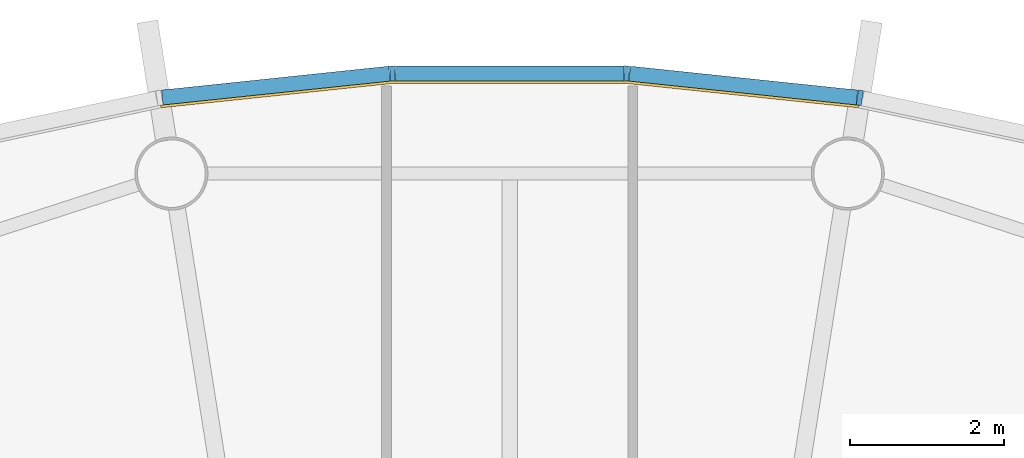
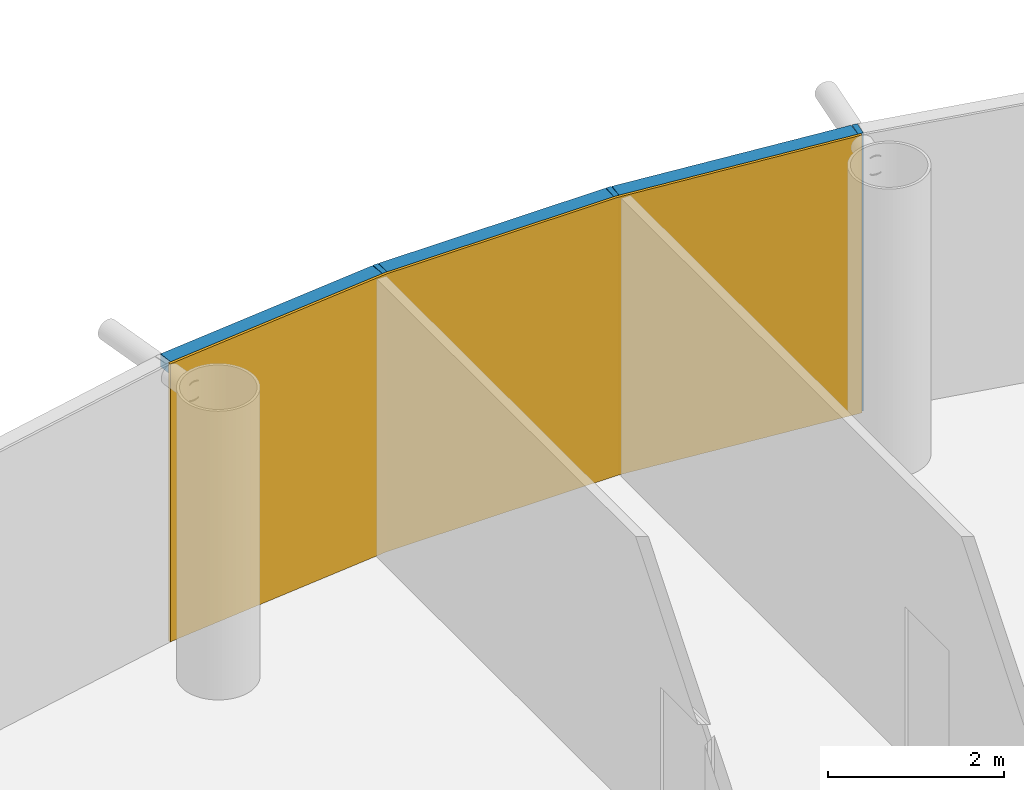
# One storey, part 11 of 13: 6 members, 1 curtain wall.
"""IFC4 building model written with IfcOpenShell, lengths in metres."""

import ifcopenshell
import ifcopenshell.guid

model = None  # the IFC model being written
_history = None  # IfcOwnerHistory: only IFC2X3 demands one
_inside = {}  # id of a spatial element -> (the spatial element, [elements in it])
_under = {}  # id of a project, library or spatial element -> (it, [spatial elements below it])
_declared = {}  # id of a project -> (the project, [libraries it declares])
_typed = {}  # id of a type object -> (the type object, [elements of that type])
_made_of = {}  # id of a material, layer set ... -> (it, [elements and type objects made of it])


def new_model(schema):
    """Start an empty IFC model of exactly this schema.

    Asked for "IFC4X3", IfcOpenShell would pick the latest addendum, in which some entities
    have other attributes; the version numbers below select the first issue.
    IFC2X3 requires an IfcOwnerHistory on every rooted entity: one is made here for all.
    """
    global model, _history
    if schema == "IFC4X3":
        model = ifcopenshell.file(schema_version=(4, 3, 0, 0))
    else:
        model = ifcopenshell.file(schema=schema)
    _inside.clear()
    _under.clear()
    _declared.clear()
    _typed.clear()
    _made_of.clear()
    _history = None
    if model.schema == "IFC2X3":
        org = make("IfcOrganization", Name="unknown")
        user = make(
            "IfcPersonAndOrganization",
            ThePerson=make("IfcPerson", FamilyName="unknown"),
            TheOrganization=org,
        )
        app = make(
            "IfcApplication",
            ApplicationDeveloper=org,
            Version="unknown",
            ApplicationFullName="unknown",
            ApplicationIdentifier="unknown",
        )
        _history = make(
            "IfcOwnerHistory",
            OwningUser=user,
            OwningApplication=app,
            ChangeAction="ADDED",
            CreationDate=0,
        )
    return model


def make(cls, **values):
    """One entity of the class cls with the attributes given. An attribute that is None is left unset."""
    return model.create_entity(
        cls, **{name: value for name, value in values.items() if value is not None}
    )


def rooted(cls, **values):
    """An entity with a GlobalId (a new one), such as an element, a storey or a relation."""
    return make(cls, GlobalId=ifcopenshell.guid.new(), OwnerHistory=_history, **values)


def si_unit(unit_type, name, prefix=None):
    """IfcSIUnit, for example si_unit("LENGTHUNIT", "METRE", prefix="MILLI")."""
    return make("IfcSIUnit", UnitType=unit_type, Prefix=prefix, Name=name)


def assignment(units):
    """IfcUnitAssignment: the units of a project."""
    return None if units is None else make("IfcUnitAssignment", Units=units)


def point(xyz):
    """IfcCartesianPoint."""
    return None if xyz is None else make("IfcCartesianPoint", Coordinates=xyz)


def direction(xyz):
    """IfcDirection."""
    return None if xyz is None else make("IfcDirection", DirectionRatios=xyz)


def frame(location, z_axis=None, x_axis=None):
    """IfcAxis2Placement3D, a coordinate frame: its origin and axes. An axis left out is left unset."""
    return make(
        "IfcAxis2Placement3D",
        Location=point(location),
        Axis=direction(z_axis),
        RefDirection=direction(x_axis),
    )


def frame_2d(location, x_axis=None):
    """IfcAxis2Placement2D, a coordinate frame in the plane: its origin and x axis."""
    return make(
        "IfcAxis2Placement2D", Location=point(location), RefDirection=direction(x_axis)
    )


def origin():
    """The frame at (0, 0, 0) with its axes left unset."""
    return frame((0.0, 0.0, 0.0))


def origin_2d():
    """The frame at (0, 0) in the plane with its x axis left unset."""
    return frame_2d((0.0, 0.0))


def place(relative_to, where):
    """IfcLocalPlacement: puts the frame where relative to a parent placement (None: the world)."""
    return make(
        "IfcLocalPlacement", PlacementRelTo=relative_to, RelativePlacement=where
    )


def context(
    kind, dimensions, precision=None, world=None, true_north=None, identifier=None
):
    """IfcGeometricRepresentationContext, for example the 3D "Model" context."""
    return make(
        "IfcGeometricRepresentationContext",
        ContextIdentifier=identifier,
        ContextType=kind,
        CoordinateSpaceDimension=dimensions,
        Precision=precision,
        WorldCoordinateSystem=world,
        TrueNorth=true_north,
    )


def subcontext(parent, identifier, kind, view, scale=None):
    """IfcGeometricRepresentationSubContext, for example "Body" below "Model"."""
    return make(
        "IfcGeometricRepresentationSubContext",
        ContextIdentifier=identifier,
        ContextType=kind,
        ParentContext=parent,
        TargetScale=scale,
        TargetView=view,
    )


def project(units=None, contexts=None):
    """IfcProject with its units and contexts."""
    return rooted(
        "IfcProject",
        Name="project",
        RepresentationContexts=contexts,
        UnitsInContext=assignment(units),
    )


def spatial(cls, under=None, at=None, **own):
    """A site, building, storey or space (cls), placed at a placement, below another one or the project."""
    s = rooted(cls, ObjectPlacement=at, **own)
    if under is not None:
        _under.setdefault(under.id(), (under, []))[1].append(s)
    return s


def polyline(points):
    """IfcPolyline through the points."""
    return make("IfcPolyline", Points=[point(p) for p in points])


def profile(cls, at=None, kind="AREA", **sizes):
    """A parametric profile (cls). Its sizes go by their IFC names, for example OverallWidth=200.0."""
    return make(cls, ProfileType=kind, Position=at, **sizes)


def rectangle(**sizes):
    """IfcRectangleProfileDef."""
    return profile("IfcRectangleProfileDef", **sizes)


def outline(outer, holes=None, kind="AREA"):
    """IfcArbitraryClosedProfileDef: a profile drawn as a closed curve; with holes, ...WithVoids."""
    if holes is None:
        return make("IfcArbitraryClosedProfileDef", ProfileType=kind, OuterCurve=outer)
    return make(
        "IfcArbitraryProfileDefWithVoids",
        ProfileType=kind,
        OuterCurve=outer,
        InnerCurves=holes,
    )


def extrude(swept, where, along, depth):
    """IfcExtrudedAreaSolid: the profile swept, set in the frame where, extruded along a direction by depth."""
    return make(
        "IfcExtrudedAreaSolid",
        SweptArea=swept,
        Position=where,
        ExtrudedDirection=direction(along),
        Depth=depth,
    )


def shape(context_of_items, identifier, shape_type, items):
    """IfcShapeRepresentation: the items that make up one representation, for example the "Body"."""
    return make(
        "IfcShapeRepresentation",
        ContextOfItems=context_of_items,
        RepresentationIdentifier=identifier,
        RepresentationType=shape_type,
        Items=items,
    )


def material(Name=None, Category=None):
    """IfcMaterial."""
    return make("IfcMaterial", Name=Name, Category=Category)


def layer(
    of_material, thickness, ventilated=None, Name=None, Category=None, Priority=None
):
    """IfcMaterialLayer: one layer of a wall or slab, of a material (None: an air gap)."""
    return make(
        "IfcMaterialLayer",
        Material=of_material,
        LayerThickness=thickness,
        IsVentilated=ventilated,
        Name=Name,
        Category=Category,
        Priority=Priority,
    )


def layer_set(layers, Name=None):
    """IfcMaterialLayerSet."""
    return make("IfcMaterialLayerSet", MaterialLayers=layers, LayerSetName=Name)


def material_profile(
    of_material, cross_section, Name=None, Category=None, Priority=None
):
    """IfcMaterialProfile: a cross section and its material."""
    return make(
        "IfcMaterialProfile",
        Name=Name,
        Material=of_material,
        Profile=cross_section,
        Priority=Priority,
        Category=Category,
    )


def profile_set(profiles, Name=None, composite=None):
    """IfcMaterialProfileSet."""
    return make(
        "IfcMaterialProfileSet",
        Name=Name,
        MaterialProfiles=profiles,
        CompositeProfile=composite,
    )


def made_of(thing, what):
    """Note that an element or type object is made of a material, layer set ...; save() writes the relation."""
    if what is not None:
        _made_of.setdefault(what.id(), (what, []))[1].append(thing)
    return thing


def type_object(cls, material=None, **own):
    """A type object (cls), such as IfcWallType, which elements share."""
    return made_of(rooted(cls, **own), material)


def element(
    cls,
    number,
    at=None,
    inside=None,
    cuts=None,
    type_object=None,
    material=None,
    context=None,
    identifier="Body",
    shape_type=None,
    held_by="IfcProductDefinitionShape",
    body=None,
    shapes=None,
    **own,
):
    """One element of the class cls, such as IfcWall. Its Tag is "e" and its number.

    at: its placement. inside: the storey or other place that contains it. cuts: it is an
    opening in that element (IfcRelVoidsElement). A single representation is given by context,
    identifier, shape_type and body (its items); several are given by shapes. held_by: the class
    of the entity that holds the representations. save() writes the other relations.
    """
    e = rooted(cls, Tag="e%d" % number, ObjectPlacement=at, **own)
    if body is not None:
        shapes = [shape(context, identifier, shape_type, body)]
    if shapes is not None:
        e.Representation = make(held_by, Representations=shapes)
    if inside is not None:
        _inside.setdefault(inside.id(), (inside, []))[1].append(e)
    if cuts is not None:
        rooted(
            "IfcRelVoidsElement", RelatingBuildingElement=cuts, RelatedOpeningElement=e
        )
    if type_object is not None:
        _typed.setdefault(type_object.id(), (type_object, []))[1].append(e)
    return made_of(e, material)


def aggregate(whole, parts):
    """IfcRelAggregates: a whole, such as a stair, and the parts it consists of."""
    return rooted("IfcRelAggregates", RelatingObject=whole, RelatedObjects=parts)


def save(model, path):
    """Write the relations noted so far, then the file.

    IfcRelAggregates (storeys below a building ...), IfcRelContainedInSpatialStructure (elements
    in a storey), IfcRelDefinesByType, IfcRelAssociatesMaterial and IfcRelDeclares: one each for
    every whole, place, type object, material and project.
    """
    for whole, parts in _under.values():
        aggregate(whole, parts)
    for where, things in _inside.values():
        rooted(
            "IfcRelContainedInSpatialStructure",
            RelatedElements=things,
            RelatingStructure=where,
        )
    for kind, things in _typed.values():
        rooted("IfcRelDefinesByType", RelatedObjects=things, RelatingType=kind)
    for what, things in _made_of.values():
        rooted("IfcRelAssociatesMaterial", RelatedObjects=things, RelatingMaterial=what)
    for by, libraries in _declared.values():
        rooted("IfcRelDeclares", RelatingContext=by, RelatedDefinitions=libraries)
    model.write(path)


model = new_model("IFC4")

# Units and contexts
model_context = context("Model", 3, precision=1e-05, world=origin(), true_north=direction((0.0, 1.0)))
body_context = subcontext(model_context, "Body", "Model", "MODEL_VIEW")
ifc_project = project(units=[si_unit("LENGTHUNIT", "METRE"), si_unit("AREAUNIT", "SQUARE_METRE"), si_unit("VOLUMEUNIT", "CUBIC_METRE"), si_unit("PLANEANGLEUNIT", "RADIAN"), si_unit("MASSUNIT", "GRAM", prefix="KILO")], contexts=[model_context])

# Member
ifc_material_1 = material(Name="Anodised aluminium", Category="aluminium")
ifc_material_profile_1 = material_profile(ifc_material_1, rectangle(XDim=0.06494140625, YDim=0.195068359375, at=origin_2d()), Name="Mullion 65 x 195 mm anodised aluminium")
ifc_profile_set_1 = profile_set([ifc_material_profile_1], Name="Anodised aluminium")
member_type_1 = type_object("IfcMemberType", Name="Mullion 65 x 195 mm anodised aluminium", PredefinedType="MULLION", material=ifc_profile_set_1)
site_placement = place(None, origin())
building_placement = place(site_placement, origin())
storey_placement = place(building_placement, frame((0.0, 0.0, 290.0)))
member_1_placement = place(storey_placement, frame((94.5517578125, 108.7392578125, 0.0), z_axis=(0.0, 0.0, 1.0), x_axis=(-0.987688340595, 0.15643446504, 0.0)))
member_1 = element("IfcMember", 1, at=member_1_placement, type_object=member_type_1, Name="MULLION L66-12", PredefinedType="MULLION", context=body_context, shape_type="SweptSolid", body=[
    extrude(rectangle(XDim=0.06494140625, YDim=0.195068359375, at=origin_2d()), origin(), (0.0, 0.0, 1.0), 3.85009765625),
])

member_2_placement = place(storey_placement, frame((91.52294921875, 109.0576171875, 0.0), z_axis=(0.0, 0.0, 1.0), x_axis=(-0.998629534755, 0.052335956243, 0.0)))
member_2 = element("IfcMember", 2, at=member_2_placement, type_object=member_type_1, Name="MULLION L66-13", PredefinedType="MULLION", context=body_context, shape_type="SweptSolid", body=[
    extrude(rectangle(XDim=0.06494140625, YDim=0.195068359375, at=origin_2d()), origin(), (0.0, 0.0, 1.0), 3.85009765625),
])

member_3_placement = place(storey_placement, frame((88.47705078125, 109.0576171875, 0.0), z_axis=(0.0, 0.0, 1.0), x_axis=(-0.998629534755, -0.052335956243, 0.0)))
member_3 = element("IfcMember", 3, at=member_3_placement, type_object=member_type_1, Name="MULLION L66-14", PredefinedType="MULLION", context=body_context, shape_type="SweptSolid", body=[
    extrude(rectangle(XDim=0.06494140625, YDim=0.195068359375, at=origin_2d()), origin(), (0.0, 0.0, 1.0), 3.85009765625),
])

ifc_material_2 = material(Name="Anodised aluminium", Category="aluminium")
ifc_material_profile_2 = material_profile(ifc_material_2, rectangle(XDim=0.195068359375, YDim=0.179931640625, at=origin_2d()), Name="Transom 180 x 195 mm anodised aluminium")
ifc_profile_set_2 = profile_set([ifc_material_profile_2], Name="Anodised aluminium")
member_type_2 = type_object("IfcMemberType", Name="Transom 180 x 195 mm anodised aluminium", PredefinedType="USERDEFINED", material=ifc_profile_set_2)
member_4_placement = place(storey_placement, frame((94.514404296875, 108.743408203125, 3.760009765625), z_axis=(-0.994528397827, 0.104466577987, 0.0), x_axis=(-0.104466577987, -0.994528397827, 0.0)))
member_4 = element("IfcMember", 4, at=member_4_placement, type_object=member_type_2, Name="TRANSOM L66-12", ObjectType="TRANSOM", PredefinedType="USERDEFINED", context=body_context, shape_type="SweptSolid", body=[
    extrude(rectangle(XDim=0.195068359375, YDim=0.179931640625, at=origin_2d()), origin(), (0.0, 0.0, 1.0), 2.970458984375),
])

member_5_placement = place(storey_placement, frame((91.4853515625, 109.057861328125, 3.760009765625), z_axis=(-1.0, 0.0, 0.0), x_axis=(0.0, -1.0, 0.0)))
member_5 = element("IfcMember", 5, at=member_5_placement, type_object=member_type_2, Name="TRANSOM L66-13", ObjectType="TRANSOM", PredefinedType="USERDEFINED", context=body_context, shape_type="SweptSolid", body=[
    extrude(rectangle(XDim=0.195068359375, YDim=0.179931640625, at=origin_2d()), origin(), (0.0, 0.0, 1.0), 2.970703125),
])

member_6_placement = place(storey_placement, frame((88.439697265625, 109.0537109375, 3.760009765625), z_axis=(-0.994528397827, -0.104466577987, 0.0), x_axis=(0.104466577987, -0.994528397827, 0.0)))
member_6 = element("IfcMember", 6, at=member_6_placement, type_object=member_type_2, Name="TRANSOM L66-14", ObjectType="TRANSOM", PredefinedType="USERDEFINED", context=body_context, shape_type="SweptSolid", body=[
    extrude(rectangle(XDim=0.195068359375, YDim=0.179931640625, at=origin_2d()), origin(), (0.0, 0.0, 1.0), 2.970458984375),
])

# Site, building, storey
site = spatial("IfcSite", under=ifc_project, at=site_placement, CompositionType="ELEMENT")
building = spatial("IfcBuilding", under=site, at=building_placement, Name="Entoto Ring Tower", CompositionType="ELEMENT")
storey = spatial("IfcBuildingStorey", under=building, at=storey_placement, Name="L66", CompositionType="ELEMENT", Elevation=290.0)

# Curtain wall
ifc_material_3 = material(Name="Clear low-iron glass", Category="glass")
ifc_layer = layer(ifc_material_3, 0.033935546875)
ifc_layer_set = layer_set([ifc_layer], Name="Clear low-iron glass")
curtain_wall_type = type_object("IfcCurtainWallType", Name="Curtain wall system CW5 glazing 34 mm", PredefinedType="NOTDEFINED", material=ifc_layer_set)
curtain_wall_placement = place(storey_placement, origin())
curtain_wall = element("IfcCurtainWall", 7, at=curtain_wall_placement, inside=storey, type_object=curtain_wall_type, Name="CW5 L66-05", PredefinedType="NOTDEFINED", context=body_context, shape_type="SweptSolid", body=[
    extrude(outline(polyline([(94.53662109375, 108.64306640625), (91.517822265625, 108.960205078125), (88.482177734375, 108.960205078125), (85.46337890625, 108.64306640625), (85.46875, 108.609375), (88.484130859375, 108.92626953125), (91.515869140625, 108.92626953125), (94.53125, 108.609375), (94.53662109375, 108.64306640625)])), origin(), (0.0, 0.0, 1.0), 3.85009765625),
])

aggregate(curtain_wall, [member_1, member_2, member_3, member_4, member_5, member_6])

save(model, "model.ifc")
